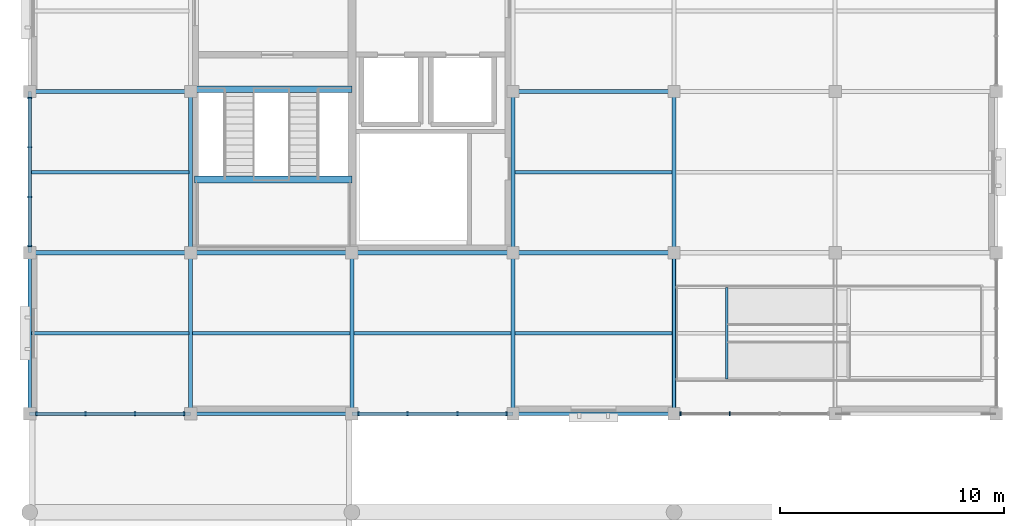
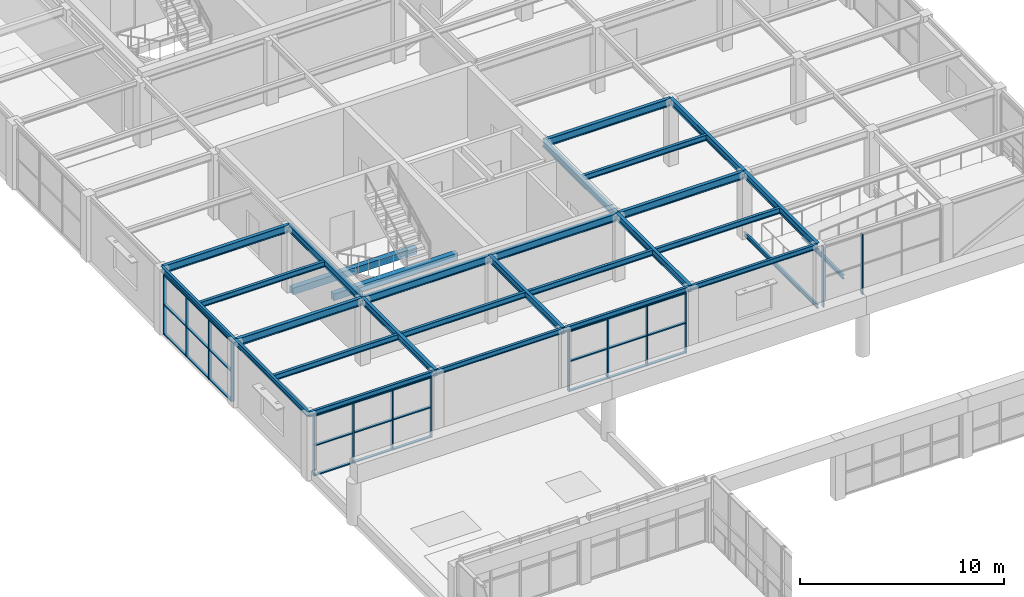
# One storey, part 21 of 83: 29 beams, 23 members, 4 elements without a shape of their own.
"""IFC4 building model written with IfcOpenShell, lengths in metres."""

from ifc_helpers import new_model, si_unit, direction, frame, origin, origin_2d, place, context, subcontext, project, spatial, rectangle, i_section, extrude, material, material_profile, profile_set, type_object, element, aggregate, save


model = new_model("IFC4")

# Units and contexts
model_context = context("Model", 3, precision=1e-05, world=origin(), true_north=direction((0.0, 1.0)))
body_context = subcontext(model_context, "Body", "Model", "MODEL_VIEW")
ifc_project = project(units=[si_unit("LENGTHUNIT", "METRE"), si_unit("AREAUNIT", "SQUARE_METRE"), si_unit("VOLUMEUNIT", "CUBIC_METRE"), si_unit("PLANEANGLEUNIT", "RADIAN"), si_unit("MASSUNIT", "GRAM", prefix="KILO")], contexts=[model_context])

# Site, building, storey
site_placement = place(None, origin())
site = spatial("IfcSite", under=ifc_project, at=site_placement, CompositionType="ELEMENT")
building_placement = place(site_placement, origin())
building = spatial("IfcBuilding", under=site, at=building_placement, Name="Leyfeld Transit Interchange", CompositionType="ELEMENT")
storey_placement = place(building_placement, frame((0.0, 0.0, 5.39990234375)))
storey = spatial("IfcBuildingStorey", under=building, at=storey_placement, Name="L01", CompositionType="ELEMENT", Elevation=5.39990234375)

# Beams
ifc_material_1 = material(Name="Concrete C35/45", Category="concrete")
ifc_material_profile_1 = material_profile(ifc_material_1, rectangle(XDim=0.300048828125, YDim=0.39990234375, at=origin_2d()), Name="RC 400x300")
ifc_profile_set_1 = profile_set([ifc_material_profile_1], Name="Concrete C35/45")
beam_type_1 = type_object("IfcBeamType", Name="BM-RC-400x300", PredefinedType="LINTEL", material=ifc_profile_set_1)
for number, where, z_axis, x_axis, name in (
    (1, (7.375, 79.300048828125, -0.199951171875), (1.0, 0.0, 0.0), (0.0, 1.0, 0.0), "Core K3 Floor Landing Corbel L01"),
    (2, (7.375, 75.27001953125, 1.900146484375), (1.0, 0.0, 0.0), (0.0, 1.0, 0.0), "Stair ST-03 L01 Half-Landing Corbel"),
):
    element("IfcBeam", number, at=place(storey_placement, frame(where, z_axis=z_axis, x_axis=x_axis)), inside=storey, type_object=beam_type_1, Name=name, PredefinedType="LINTEL", context=body_context, shape_type="SweptSolid", body=[
        extrude(rectangle(XDim=0.300048828125, YDim=0.39990234375, at=origin_2d()), origin(), (0.0, 0.0, 1.0), 7.02490234375),
    ])
ifc_material_2 = material(Name="Steel S355J2", Category="steel")
ifc_material_profile_2 = material_profile(ifc_material_2, i_section(OverallWidth=0.1201171875, OverallDepth=0.239990234375, WebThickness=0.006103515625, FlangeThickness=0.009765625, FilletRadius=0.014892578125, at=origin_2d()), Name="IPE 240")
ifc_profile_set_2 = profile_set([ifc_material_profile_2], Name="Steel S355J2")
beam_type_2 = type_object("IfcBeamType", Name="BM-STL-IPE240", PredefinedType="LINTEL", material=ifc_profile_set_2)
beam_1_placement = place(storey_placement, frame((28.800048828125, 64.800048828125, 0.130126953125), z_axis=(0.0, 1.0, 0.0), x_axis=(-1.0, 0.0, 0.0)))
element("IfcBeam", 3, at=beam_1_placement, inside=storey, type_object=beam_type_2, Name="Cycle Ramp L01 West Bearer", PredefinedType="LINTEL", context=body_context, shape_type="SweptSolid", body=[
    extrude(i_section(OverallWidth=0.1201171875, OverallDepth=0.239990234375, WebThickness=0.006103515625, FlangeThickness=0.009765625, FilletRadius=0.014892578125, at=origin_2d()), origin(), (0.0, 0.0, 1.0), 7.199951171875),
])
beam_2_placement = place(storey_placement, frame((31.14990234375, 66.35009765625, 0.130126953125), z_axis=(0.0, 1.0, 0.0), x_axis=(-1.0, 0.0, 0.0)))
element("IfcBeam", 4, at=beam_2_placement, inside=storey, type_object=beam_type_2, Name="Cycle Ramp L01 Corbel Beam", PredefinedType="LINTEL", context=body_context, shape_type="SweptSolid", body=[
    extrude(i_section(OverallWidth=0.1201171875, OverallDepth=0.239990234375, WebThickness=0.006103515625, FlangeThickness=0.009765625, FilletRadius=0.014892578125, at=origin_2d()), origin(), (0.0, 0.0, 1.0), 4.099853515625),
])
ifc_material_profile_3 = material_profile(ifc_material_2, i_section(OverallWidth=0.14990234375, OverallDepth=0.300048828125, WebThickness=0.007080078125, FlangeThickness=0.0107421875, FilletRadius=0.014892578125, at=origin_2d()), Name="IPE 300")
ifc_profile_set_3 = profile_set([ifc_material_profile_3], Name="Steel S355J2")
beam_type_3 = type_object("IfcBeamType", Name="BM-STL-IPE300", PredefinedType="SPANDREL", material=ifc_profile_set_3)
for number, where, z_axis, x_axis, name in (
    (5, (0.0, 64.800048828125, 3.77001953125), (0.0, 1.0, 0.0), (-1.0, 0.0, 0.0), "Beam BM-L01-0000_0648-0000_0720"),
    (6, (0.0, 72.0, 3.77001953125), (0.0, 1.0, 0.0), (-1.0, 0.0, 0.0), "Beam BM-L01-0000_0720-0000_0792"),
    (7, (0.0, 64.800048828125, 3.77001953125), (1.0, 0.0, 0.0), (0.0, 1.0, 0.0), "Beam BM-L01-0000_0648-0072_0648"),
    (8, (7.199951171875, 64.800048828125, 3.77001953125), (1.0, 0.0, 0.0), (0.0, 1.0, 0.0), "Beam BM-L01-0072_0648-0144_0648"),
):
    element("IfcBeam", number, at=place(storey_placement, frame(where, z_axis=z_axis, x_axis=x_axis)), inside=storey, type_object=beam_type_3, Name=name, PredefinedType="SPANDREL", context=body_context, shape_type="SweptSolid", body=[
        extrude(i_section(OverallWidth=0.14990234375, OverallDepth=0.300048828125, WebThickness=0.007080078125, FlangeThickness=0.0107421875, FilletRadius=0.014892578125, at=origin_2d()), origin(), (0.0, 0.0, 1.0), 7.199951171875),
    ])
beam_3_placement = place(storey_placement, frame((14.39990234375, 64.800048828125, 3.77001953125), z_axis=(1.0, 0.0, 0.0), x_axis=(0.0, 1.0, 0.0)))
element("IfcBeam", 9, at=beam_3_placement, inside=storey, type_object=beam_type_3, Name="Beam BM-L01-0144_0648-0216_0648", PredefinedType="SPANDREL", context=body_context, shape_type="SweptSolid", body=[
    extrude(i_section(OverallWidth=0.14990234375, OverallDepth=0.300048828125, WebThickness=0.007080078125, FlangeThickness=0.0107421875, FilletRadius=0.014892578125, at=origin_2d()), origin(), (0.0, 0.0, 1.0), 7.2001953125),
])
beam_4_placement = place(storey_placement, frame((21.60009765625, 64.800048828125, 3.77001953125), z_axis=(1.0, 0.0, 0.0), x_axis=(0.0, 1.0, 0.0)))
element("IfcBeam", 10, at=beam_4_placement, inside=storey, type_object=beam_type_3, Name="Beam BM-L01-0216_0648-0288_0648", PredefinedType="SPANDREL", context=body_context, shape_type="SweptSolid", body=[
    extrude(i_section(OverallWidth=0.14990234375, OverallDepth=0.300048828125, WebThickness=0.007080078125, FlangeThickness=0.0107421875, FilletRadius=0.014892578125, at=origin_2d()), origin(), (0.0, 0.0, 1.0), 7.199951171875),
])
ifc_material_profile_4 = material_profile(ifc_material_2, i_section(OverallWidth=0.159912109375, OverallDepth=0.330078125, WebThickness=0.007568359375, FlangeThickness=0.011474609375, FilletRadius=0.01806640625, at=origin_2d()), Name="IPE 330")
ifc_profile_set_4 = profile_set([ifc_material_profile_4], Name="Steel S355J2")
beam_type_4 = type_object("IfcBeamType", Name="BM-STL-IPE330", PredefinedType="BEAM", material=ifc_profile_set_4)
beam_5_placement = place(storey_placement, frame((0.072021484375, 68.39990234375, 3.755126953125), z_axis=(1.0, 0.0, 0.0), x_axis=(0.0, 1.0, 0.0)))
element("IfcBeam", 11, at=beam_5_placement, inside=storey, type_object=beam_type_4, Name="Beam BM-L01-0001_0684-0071_0684", PredefinedType="BEAM", context=body_context, shape_type="SweptSolid", body=[
    extrude(i_section(OverallWidth=0.159912109375, OverallDepth=0.330078125, WebThickness=0.007568359375, FlangeThickness=0.011474609375, FilletRadius=0.01806640625, at=origin_2d()), origin(), (0.0, 0.0, 1.0), 7.041015625),
])
for number, where, z_axis, x_axis, name in (
    (12, (7.287109375, 68.39990234375, 3.755126953125), (1.0, 0.0, 0.0), (0.0, 1.0, 0.0), "Beam BM-L01-0073_0684-0143_0684"),
    (13, (14.487060546875, 68.39990234375, 3.755126953125), (1.0, 0.0, 0.0), (0.0, 1.0, 0.0), "Beam BM-L01-0145_0684-0215_0684"),
    (14, (21.68701171875, 68.39990234375, 3.755126953125), (1.0, 0.0, 0.0), (0.0, 1.0, 0.0), "Beam BM-L01-0217_0684-0287_0684"),
):
    element("IfcBeam", number, at=place(storey_placement, frame(where, z_axis=z_axis, x_axis=x_axis)), inside=storey, type_object=beam_type_4, Name=name, PredefinedType="BEAM", context=body_context, shape_type="SweptSolid", body=[
        extrude(i_section(OverallWidth=0.159912109375, OverallDepth=0.330078125, WebThickness=0.007568359375, FlangeThickness=0.011474609375, FilletRadius=0.01806640625, at=origin_2d()), origin(), (0.0, 0.0, 1.0), 7.02587890625),
    ])
beam_6_placement = place(storey_placement, frame((0.072021484375, 75.60009765625, 3.755126953125), z_axis=(1.0, 0.0, 0.0), x_axis=(0.0, 1.0, 0.0)))
element("IfcBeam", 15, at=beam_6_placement, inside=storey, type_object=beam_type_4, Name="Beam BM-L01-0001_0756-0071_0756", PredefinedType="BEAM", context=body_context, shape_type="SweptSolid", body=[
    extrude(i_section(OverallWidth=0.159912109375, OverallDepth=0.330078125, WebThickness=0.007568359375, FlangeThickness=0.011474609375, FilletRadius=0.01806640625, at=origin_2d()), origin(), (0.0, 0.0, 1.0), 7.041015625),
])
beam_7_placement = place(storey_placement, frame((21.68701171875, 75.60009765625, 3.755126953125), z_axis=(1.0, 0.0, 0.0), x_axis=(0.0, 1.0, 0.0)))
element("IfcBeam", 16, at=beam_7_placement, inside=storey, type_object=beam_type_4, Name="Beam BM-L01-0217_0756-0287_0756", PredefinedType="BEAM", context=body_context, shape_type="SweptSolid", body=[
    extrude(i_section(OverallWidth=0.159912109375, OverallDepth=0.330078125, WebThickness=0.007568359375, FlangeThickness=0.011474609375, FilletRadius=0.01806640625, at=origin_2d()), origin(), (0.0, 0.0, 1.0), 7.02587890625),
])
ifc_material_profile_5 = material_profile(ifc_material_2, i_section(OverallWidth=0.179931640625, OverallDepth=0.39990234375, WebThickness=0.008544921875, FlangeThickness=0.013427734375, FilletRadius=0.02099609375, at=origin_2d()), Name="IPE 400")
ifc_profile_set_5 = profile_set([ifc_material_profile_5], Name="Steel S355J2")
beam_type_5 = type_object("IfcBeamType", Name="BM-STL-IPE400", PredefinedType="BEAM", material=ifc_profile_set_5)
for number, where, z_axis, x_axis, name in (
    (17, (7.199951171875, 64.800048828125, 3.72021484375), (0.0, 1.0, 0.0), (-1.0, 0.0, 0.0), "Beam BM-L01-0072_0648-0072_0720"),
    (18, (7.199951171875, 72.0, 3.72021484375), (0.0, 1.0, 0.0), (-1.0, 0.0, 0.0), "Beam BM-L01-0072_0720-0072_0792"),
    (19, (14.39990234375, 64.800048828125, 3.72021484375), (0.0, 1.0, 0.0), (-1.0, 0.0, 0.0), "Beam BM-L01-0144_0648-0144_0720"),
    (20, (21.60009765625, 64.800048828125, 3.72021484375), (0.0, 1.0, 0.0), (-1.0, 0.0, 0.0), "Beam BM-L01-0216_0648-0216_0720"),
    (21, (21.60009765625, 72.0, 3.72021484375), (0.0, 1.0, 0.0), (-1.0, 0.0, 0.0), "Beam BM-L01-0216_0720-0216_0792"),
    (22, (28.800048828125, 64.800048828125, 3.72021484375), (0.0, 1.0, 0.0), (-1.0, 0.0, 0.0), "Beam BM-L01-0288_0648-0288_0720"),
    (23, (28.800048828125, 72.0, 3.72021484375), (0.0, 1.0, 0.0), (-1.0, 0.0, 0.0), "Beam BM-L01-0288_0720-0288_0792"),
):
    element("IfcBeam", number, at=place(storey_placement, frame(where, z_axis=z_axis, x_axis=x_axis)), inside=storey, type_object=beam_type_5, Name=name, PredefinedType="BEAM", context=body_context, shape_type="SweptSolid", body=[
        extrude(i_section(OverallWidth=0.179931640625, OverallDepth=0.39990234375, WebThickness=0.008544921875, FlangeThickness=0.013427734375, FilletRadius=0.02099609375, at=origin_2d()), origin(), (0.0, 0.0, 1.0), 7.199951171875),
    ])
ifc_material_profile_6 = material_profile(ifc_material_2, i_section(OverallWidth=0.18994140625, OverallDepth=0.449951171875, WebThickness=0.009521484375, FlangeThickness=0.0146484375, FilletRadius=0.02099609375, at=origin_2d()), Name="IPE 450")
ifc_profile_set_6 = profile_set([ifc_material_profile_6], Name="Steel S355J2")
beam_type_6 = type_object("IfcBeamType", Name="BM-STL-IPE450", PredefinedType="BEAM", material=ifc_profile_set_6)
for number, where, z_axis, x_axis, name in (
    (24, (0.0, 72.0, 3.695068359375), (1.0, 0.0, 0.0), (0.0, 1.0, 0.0), "Beam BM-L01-0000_0720-0072_0720"),
    (25, (7.199951171875, 72.0, 3.695068359375), (1.0, 0.0, 0.0), (0.0, 1.0, 0.0), "Beam BM-L01-0072_0720-0144_0720"),
):
    element("IfcBeam", number, at=place(storey_placement, frame(where, z_axis=z_axis, x_axis=x_axis)), inside=storey, type_object=beam_type_6, Name=name, PredefinedType="BEAM", context=body_context, shape_type="SweptSolid", body=[
        extrude(i_section(OverallWidth=0.18994140625, OverallDepth=0.449951171875, WebThickness=0.009521484375, FlangeThickness=0.0146484375, FilletRadius=0.02099609375, at=origin_2d()), origin(), (0.0, 0.0, 1.0), 7.199951171875),
    ])
beam_8_placement = place(storey_placement, frame((14.39990234375, 72.0, 3.695068359375), z_axis=(1.0, 0.0, 0.0), x_axis=(0.0, 1.0, 0.0)))
element("IfcBeam", 26, at=beam_8_placement, inside=storey, type_object=beam_type_6, Name="Beam BM-L01-0144_0720-0216_0720", PredefinedType="BEAM", context=body_context, shape_type="SweptSolid", body=[
    extrude(i_section(OverallWidth=0.18994140625, OverallDepth=0.449951171875, WebThickness=0.009521484375, FlangeThickness=0.0146484375, FilletRadius=0.02099609375, at=origin_2d()), origin(), (0.0, 0.0, 1.0), 7.2001953125),
])
for number, where, z_axis, x_axis, name in (
    (27, (21.60009765625, 72.0, 3.695068359375), (1.0, 0.0, 0.0), (0.0, 1.0, 0.0), "Beam BM-L01-0216_0720-0288_0720"),
    (28, (0.0, 79.199951171875, 3.695068359375), (1.0, 0.0, 0.0), (0.0, 1.0, 0.0), "Beam BM-L01-0000_0792-0072_0792"),
    (29, (21.60009765625, 79.199951171875, 3.695068359375), (1.0, 0.0, 0.0), (0.0, 1.0, 0.0), "Beam BM-L01-0216_0792-0288_0792"),
):
    element("IfcBeam", number, at=place(storey_placement, frame(where, z_axis=z_axis, x_axis=x_axis)), inside=storey, type_object=beam_type_6, Name=name, PredefinedType="BEAM", context=body_context, shape_type="SweptSolid", body=[
        extrude(i_section(OverallWidth=0.18994140625, OverallDepth=0.449951171875, WebThickness=0.009521484375, FlangeThickness=0.0146484375, FilletRadius=0.02099609375, at=origin_2d()), origin(), (0.0, 0.0, 1.0), 7.199951171875),
    ])

# Curtain wall, members
ifc_material_3 = material(Name="Anodised aluminium EN AW-6060 T66", Category="aluminium")
curtain_wall_type = type_object("IfcCurtainWallType", Name="CW-SYS-CYC-7200", PredefinedType="NOTDEFINED", material=ifc_material_3)
curtain_wall_1_placement = place(storey_placement, origin())
curtain_wall_1 = element("IfcCurtainWall", 30, at=curtain_wall_1_placement, inside=storey, type_object=curtain_wall_type, Name="Curtain Wall CW-L01-068", PredefinedType="NOTDEFINED")
ifc_material_profile_7 = material_profile(ifc_material_3, rectangle(XDim=0.06494140625, YDim=0.179931640625, at=origin_2d()), Name="CW-M 65x180")
ifc_profile_set_7 = profile_set([ifc_material_profile_7], Name="Anodised aluminium EN AW-6060 T66")
member_type_1 = type_object("IfcMemberType", Name="CW-MUL-150x65", PredefinedType="MULLION", material=ifc_profile_set_7)
member_1_placement = place(storey_placement, frame((31.288330078125, 64.800048828125, 0.0), z_axis=(0.0, 0.0, 1.0), x_axis=(-1.0, 0.0, 0.0)))
member_1 = element("IfcMember", 31, at=member_1_placement, type_object=member_type_1, Name="Curtain Mullion CW-L01-068-M03", PredefinedType="MULLION", context=body_context, shape_type="SweptSolid", body=[
    extrude(rectangle(XDim=0.06494140625, YDim=0.179931640625, at=origin_2d()), origin(), (0.0, 0.0, 1.0), 3.6201171875),
])
member_2_placement = place(storey_placement, frame((29.097412109375, 64.800048828125, 0.0), z_axis=(0.0, 0.0, 1.0), x_axis=(-1.0, 0.0, 0.0)))
member_2 = element("IfcMember", 32, at=member_2_placement, type_object=member_type_1, Name="Curtain Mullion CW-L01-068-M04", PredefinedType="MULLION", context=body_context, shape_type="SweptSolid", body=[
    extrude(rectangle(XDim=0.06494140625, YDim=0.179931640625, at=origin_2d()), origin(), (0.0, 0.0, 1.0), 3.6201171875),
])
aggregate(curtain_wall_1, [member_1, member_2])

curtain_wall_2_placement = place(storey_placement, origin())
curtain_wall_2 = element("IfcCurtainWall", 33, at=curtain_wall_2_placement, inside=storey, type_object=curtain_wall_type, Name="Curtain Wall CW-L01-069", PredefinedType="NOTDEFINED")
member_3_placement = place(storey_placement, frame((21.302490234375, 64.800048828125, 0.0), z_axis=(0.0, 0.0, 1.0), x_axis=(-1.0, 0.0, 0.0)))
member_3 = element("IfcMember", 34, at=member_3_placement, type_object=member_type_1, Name="Curtain Mullion CW-L01-069-M01", PredefinedType="MULLION", context=body_context, shape_type="SweptSolid", body=[
    extrude(rectangle(XDim=0.06494140625, YDim=0.179931640625, at=origin_2d()), origin(), (0.0, 0.0, 1.0), 3.6201171875),
])
member_4_placement = place(storey_placement, frame((19.11181640625, 64.800048828125, 0.0), z_axis=(0.0, 0.0, 1.0), x_axis=(-1.0, 0.0, 0.0)))
member_4 = element("IfcMember", 35, at=member_4_placement, type_object=member_type_1, Name="Curtain Mullion CW-L01-069-M02", PredefinedType="MULLION", context=body_context, shape_type="SweptSolid", body=[
    extrude(rectangle(XDim=0.06494140625, YDim=0.179931640625, at=origin_2d()), origin(), (0.0, 0.0, 1.0), 3.6201171875),
])
member_5_placement = place(storey_placement, frame((16.88818359375, 64.800048828125, 0.0), z_axis=(0.0, 0.0, 1.0), x_axis=(-1.0, 0.0, 0.0)))
member_5 = element("IfcMember", 36, at=member_5_placement, type_object=member_type_1, Name="Curtain Mullion CW-L01-069-M03", PredefinedType="MULLION", context=body_context, shape_type="SweptSolid", body=[
    extrude(rectangle(XDim=0.06494140625, YDim=0.179931640625, at=origin_2d()), origin(), (0.0, 0.0, 1.0), 3.6201171875),
])
member_6_placement = place(storey_placement, frame((14.697509765625, 64.800048828125, 0.0), z_axis=(0.0, 0.0, 1.0), x_axis=(-1.0, 0.0, 0.0)))
member_6 = element("IfcMember", 37, at=member_6_placement, type_object=member_type_1, Name="Curtain Mullion CW-L01-069-M04", PredefinedType="MULLION", context=body_context, shape_type="SweptSolid", body=[
    extrude(rectangle(XDim=0.06494140625, YDim=0.179931640625, at=origin_2d()), origin(), (0.0, 0.0, 1.0), 3.6201171875),
])

curtain_wall_3_placement = place(storey_placement, origin())
curtain_wall_3 = element("IfcCurtainWall", 38, at=curtain_wall_3_placement, inside=storey, type_object=curtain_wall_type, Name="Curtain Wall CW-L01-070", PredefinedType="NOTDEFINED")
member_7_placement = place(storey_placement, frame((6.902587890625, 64.800048828125, 0.0), z_axis=(0.0, 0.0, 1.0), x_axis=(-1.0, 0.0, 0.0)))
member_7 = element("IfcMember", 39, at=member_7_placement, type_object=member_type_1, Name="Curtain Mullion CW-L01-070-M01", PredefinedType="MULLION", context=body_context, shape_type="SweptSolid", body=[
    extrude(rectangle(XDim=0.06494140625, YDim=0.179931640625, at=origin_2d()), origin(), (0.0, 0.0, 1.0), 3.6201171875),
])
member_8_placement = place(storey_placement, frame((4.711669921875, 64.800048828125, 0.0), z_axis=(0.0, 0.0, 1.0), x_axis=(-1.0, 0.0, 0.0)))
member_8 = element("IfcMember", 40, at=member_8_placement, type_object=member_type_1, Name="Curtain Mullion CW-L01-070-M02", PredefinedType="MULLION", context=body_context, shape_type="SweptSolid", body=[
    extrude(rectangle(XDim=0.06494140625, YDim=0.179931640625, at=origin_2d()), origin(), (0.0, 0.0, 1.0), 3.6201171875),
])
member_9_placement = place(storey_placement, frame((2.48828125, 64.800048828125, 0.0), z_axis=(0.0, 0.0, 1.0), x_axis=(-1.0, 0.0, 0.0)))
member_9 = element("IfcMember", 41, at=member_9_placement, type_object=member_type_1, Name="Curtain Mullion CW-L01-070-M03", PredefinedType="MULLION", context=body_context, shape_type="SweptSolid", body=[
    extrude(rectangle(XDim=0.06494140625, YDim=0.179931640625, at=origin_2d()), origin(), (0.0, 0.0, 1.0), 3.6201171875),
])
member_10_placement = place(storey_placement, frame((0.297607421875, 64.800048828125, 0.0), z_axis=(0.0, 0.0, 1.0), x_axis=(-1.0, 0.0, 0.0)))
member_10 = element("IfcMember", 42, at=member_10_placement, type_object=member_type_1, Name="Curtain Mullion CW-L01-070-M04", PredefinedType="MULLION", context=body_context, shape_type="SweptSolid", body=[
    extrude(rectangle(XDim=0.06494140625, YDim=0.179931640625, at=origin_2d()), origin(), (0.0, 0.0, 1.0), 3.6201171875),
])

curtain_wall_4_placement = place(storey_placement, origin())
curtain_wall_4 = element("IfcCurtainWall", 43, at=curtain_wall_4_placement, inside=storey, type_object=curtain_wall_type, Name="Curtain Wall CW-L01-071", PredefinedType="NOTDEFINED")
member_11_placement = place(storey_placement, frame((0.0, 72.297607421875, 0.0), z_axis=(0.0, 0.0, 1.0), x_axis=(0.0, 1.0, 0.0)))
member_11 = element("IfcMember", 44, at=member_11_placement, type_object=member_type_1, Name="Curtain Mullion CW-L01-071-M01", PredefinedType="MULLION", context=body_context, shape_type="SweptSolid", body=[
    extrude(rectangle(XDim=0.06494140625, YDim=0.179931640625, at=origin_2d()), origin(), (0.0, 0.0, 1.0), 3.590087890625),
])
member_12_placement = place(storey_placement, frame((0.0, 74.48828125, 0.0), z_axis=(0.0, 0.0, 1.0), x_axis=(0.0, 1.0, 0.0)))
member_12 = element("IfcMember", 45, at=member_12_placement, type_object=member_type_1, Name="Curtain Mullion CW-L01-071-M02", PredefinedType="MULLION", context=body_context, shape_type="SweptSolid", body=[
    extrude(rectangle(XDim=0.06494140625, YDim=0.179931640625, at=origin_2d()), origin(), (0.0, 0.0, 1.0), 3.590087890625),
])
member_13_placement = place(storey_placement, frame((0.0, 76.711669921875, 0.0), z_axis=(0.0, 0.0, 1.0), x_axis=(0.0, 1.0, 0.0)))
member_13 = element("IfcMember", 46, at=member_13_placement, type_object=member_type_1, Name="Curtain Mullion CW-L01-071-M03", PredefinedType="MULLION", context=body_context, shape_type="SweptSolid", body=[
    extrude(rectangle(XDim=0.06494140625, YDim=0.179931640625, at=origin_2d()), origin(), (0.0, 0.0, 1.0), 3.590087890625),
])
member_14_placement = place(storey_placement, frame((0.0, 78.902587890625, 0.0), z_axis=(0.0, 0.0, 1.0), x_axis=(0.0, 1.0, 0.0)))
member_14 = element("IfcMember", 47, at=member_14_placement, type_object=member_type_1, Name="Curtain Mullion CW-L01-071-M04", PredefinedType="MULLION", context=body_context, shape_type="SweptSolid", body=[
    extrude(rectangle(XDim=0.06494140625, YDim=0.179931640625, at=origin_2d()), origin(), (0.0, 0.0, 1.0), 3.590087890625),
])

# Member
ifc_material_profile_8 = material_profile(ifc_material_3, rectangle(XDim=0.14990234375, YDim=0.06494140625, at=origin_2d()), Name="CW-TRN-135x65")
ifc_profile_set_8 = profile_set([ifc_material_profile_8], Name="Anodised aluminium EN AW-6060 T66")
member_type_2 = type_object("IfcMemberType", Name="CW-TRN-135x65", PredefinedType="USERDEFINED", material=ifc_profile_set_8)
member_15_placement = place(storey_placement, frame((21.3349609375, 64.800048828125, 0.03271484375), z_axis=(-1.0, 0.0, 0.0), x_axis=(0.0, -1.0, 0.0)))
member_15 = element("IfcMember", 48, at=member_15_placement, type_object=member_type_2, Name="Curtain Transom CW-L01-069-T01", ObjectType="TRANSOM", PredefinedType="USERDEFINED", context=body_context, shape_type="SweptSolid", body=[
    extrude(rectangle(XDim=0.14990234375, YDim=0.06494140625, at=origin_2d()), origin(), (0.0, 0.0, 1.0), 6.669921875),
])

member_16_placement = place(storey_placement, frame((21.3349609375, 64.800048828125, 1.81005859375), z_axis=(-1.0, 0.0, 0.0), x_axis=(0.0, -1.0, 0.0)))
member_16 = element("IfcMember", 49, at=member_16_placement, type_object=member_type_2, Name="Curtain Transom CW-L01-069-T02", ObjectType="TRANSOM", PredefinedType="USERDEFINED", context=body_context, shape_type="SweptSolid", body=[
    extrude(rectangle(XDim=0.14990234375, YDim=0.06494140625, at=origin_2d()), origin(), (0.0, 0.0, 1.0), 6.669921875),
])

member_17_placement = place(storey_placement, frame((21.3349609375, 64.800048828125, 3.587646484375), z_axis=(-1.0, 0.0, 0.0), x_axis=(0.0, -1.0, 0.0)))
member_17 = element("IfcMember", 50, at=member_17_placement, type_object=member_type_2, Name="Curtain Transom CW-L01-069-T03", ObjectType="TRANSOM", PredefinedType="USERDEFINED", context=body_context, shape_type="SweptSolid", body=[
    extrude(rectangle(XDim=0.14990234375, YDim=0.06494140625, at=origin_2d()), origin(), (0.0, 0.0, 1.0), 6.669921875),
])

aggregate(curtain_wall_2, [member_3, member_4, member_5, member_6, member_15, member_16, member_17])

member_18_placement = place(storey_placement, frame((6.93505859375, 64.800048828125, 0.03271484375), z_axis=(-1.0, 0.0, 0.0), x_axis=(0.0, -1.0, 0.0)))
member_18 = element("IfcMember", 51, at=member_18_placement, type_object=member_type_2, Name="Curtain Transom CW-L01-070-T01", ObjectType="TRANSOM", PredefinedType="USERDEFINED", context=body_context, shape_type="SweptSolid", body=[
    extrude(rectangle(XDim=0.14990234375, YDim=0.06494140625, at=origin_2d()), origin(), (0.0, 0.0, 1.0), 6.670166015625),
])

member_19_placement = place(storey_placement, frame((6.93505859375, 64.800048828125, 1.81005859375), z_axis=(-1.0, 0.0, 0.0), x_axis=(0.0, -1.0, 0.0)))
member_19 = element("IfcMember", 52, at=member_19_placement, type_object=member_type_2, Name="Curtain Transom CW-L01-070-T02", ObjectType="TRANSOM", PredefinedType="USERDEFINED", context=body_context, shape_type="SweptSolid", body=[
    extrude(rectangle(XDim=0.14990234375, YDim=0.06494140625, at=origin_2d()), origin(), (0.0, 0.0, 1.0), 6.670166015625),
])

member_20_placement = place(storey_placement, frame((6.93505859375, 64.800048828125, 3.587646484375), z_axis=(-1.0, 0.0, 0.0), x_axis=(0.0, -1.0, 0.0)))
member_20 = element("IfcMember", 53, at=member_20_placement, type_object=member_type_2, Name="Curtain Transom CW-L01-070-T03", ObjectType="TRANSOM", PredefinedType="USERDEFINED", context=body_context, shape_type="SweptSolid", body=[
    extrude(rectangle(XDim=0.14990234375, YDim=0.06494140625, at=origin_2d()), origin(), (0.0, 0.0, 1.0), 6.670166015625),
])

aggregate(curtain_wall_3, [member_7, member_8, member_9, member_10, member_18, member_19, member_20])

member_21_placement = place(storey_placement, frame((0.0, 72.264892578125, 0.03271484375), z_axis=(0.0, 1.0, 0.0), x_axis=(-1.0, 0.0, 0.0)))
member_21 = element("IfcMember", 54, at=member_21_placement, type_object=member_type_2, Name="Curtain Transom CW-L01-071-T01", ObjectType="TRANSOM", PredefinedType="USERDEFINED", context=body_context, shape_type="SweptSolid", body=[
    extrude(rectangle(XDim=0.14990234375, YDim=0.06494140625, at=origin_2d()), origin(), (0.0, 0.0, 1.0), 6.670166015625),
])

member_22_placement = place(storey_placement, frame((0.0, 72.264892578125, 1.795166015625), z_axis=(0.0, 1.0, 0.0), x_axis=(-1.0, 0.0, 0.0)))
member_22 = element("IfcMember", 55, at=member_22_placement, type_object=member_type_2, Name="Curtain Transom CW-L01-071-T02", ObjectType="TRANSOM", PredefinedType="USERDEFINED", context=body_context, shape_type="SweptSolid", body=[
    extrude(rectangle(XDim=0.14990234375, YDim=0.06494140625, at=origin_2d()), origin(), (0.0, 0.0, 1.0), 6.670166015625),
])

member_23_placement = place(storey_placement, frame((0.0, 72.264892578125, 3.5576171875), z_axis=(0.0, 1.0, 0.0), x_axis=(-1.0, 0.0, 0.0)))
member_23 = element("IfcMember", 56, at=member_23_placement, type_object=member_type_2, Name="Curtain Transom CW-L01-071-T03", ObjectType="TRANSOM", PredefinedType="USERDEFINED", context=body_context, shape_type="SweptSolid", body=[
    extrude(rectangle(XDim=0.14990234375, YDim=0.06494140625, at=origin_2d()), origin(), (0.0, 0.0, 1.0), 6.670166015625),
])

aggregate(curtain_wall_4, [member_11, member_12, member_13, member_14, member_21, member_22, member_23])

save(model, "model.ifc")
